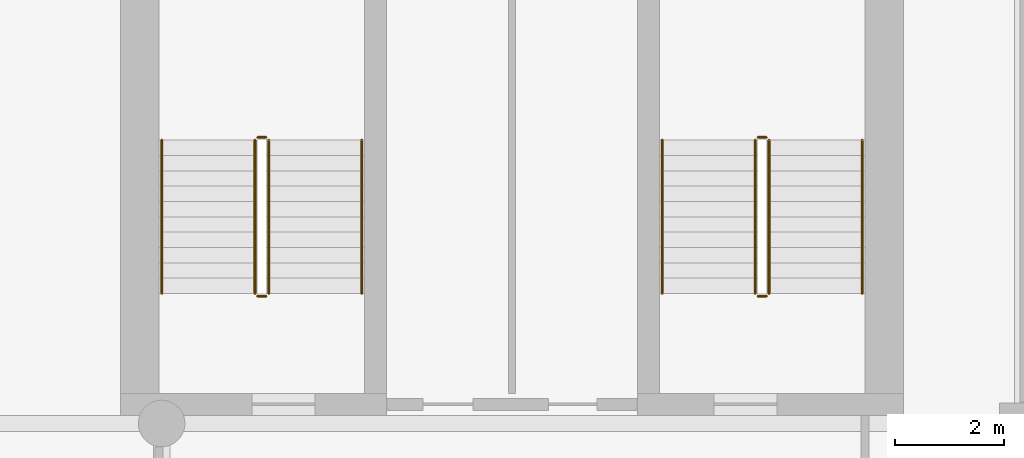
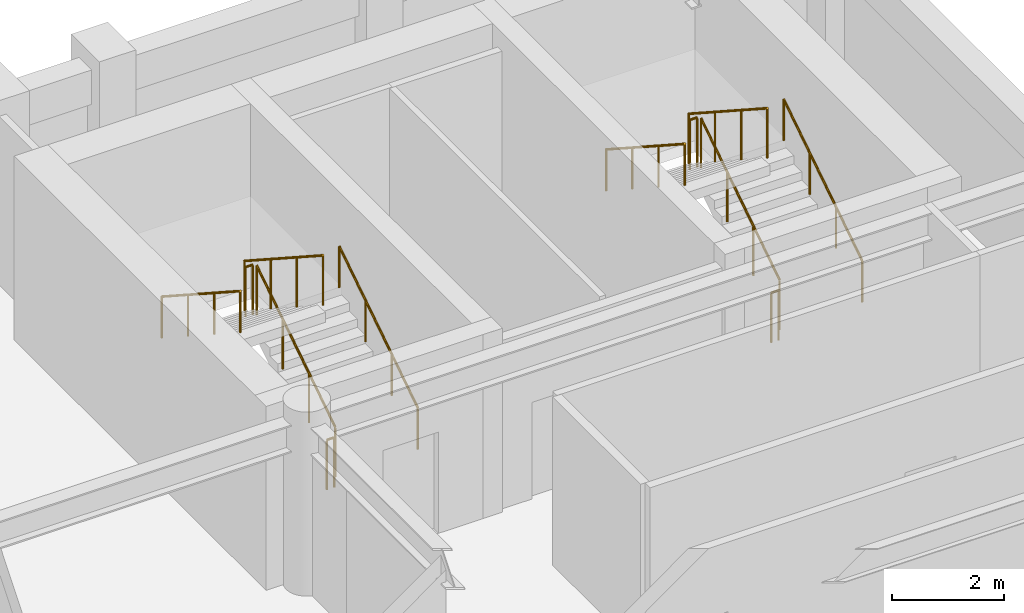
# One storey, part 8 of 8: 12 railings.
"""IFC4 building model written with IfcOpenShell, lengths in metres."""

from ifc_helpers import new_model, si_unit, direction, frame, origin, origin_2d, place, context, subcontext, project, spatial, circle, extrude, material, type_object, element, save


model = new_model("IFC4")

# Units and contexts
model_context = context("Model", 3, precision=1e-05, world=origin(), true_north=direction((0.0, 1.0)))
body_context = subcontext(model_context, "Body", "Model", "MODEL_VIEW")
ifc_project = project(units=[si_unit("LENGTHUNIT", "METRE"), si_unit("AREAUNIT", "SQUARE_METRE"), si_unit("VOLUMEUNIT", "CUBIC_METRE"), si_unit("PLANEANGLEUNIT", "RADIAN"), si_unit("MASSUNIT", "GRAM", prefix="KILO")], contexts=[model_context])

# Site, building, storey
site_placement = place(None, origin())
site = spatial("IfcSite", under=ifc_project, at=site_placement, CompositionType="ELEMENT")
building_placement = place(site_placement, origin())
building = spatial("IfcBuilding", under=site, at=building_placement, Name="Sulina Concourse Tower", CompositionType="ELEMENT")
storey_placement = place(building_placement, frame((0.0, 0.0, 234.60009765625)))
storey = spatial("IfcBuildingStorey", under=building, at=storey_placement, Name="L57", CompositionType="ELEMENT", Elevation=234.60009765625)

# Railings
ifc_material_1 = material(Name="Galvanised steel railing", Category="steel")
railing_type_1 = type_object("IfcRailingType", Name="Core Stair Steel Guardrail 1150mm", PredefinedType="GUARDRAIL", material=ifc_material_1)
railing_1_placement = place(storey_placement, frame((43.554931640625, 36.375, 0.181640625)))
element("IfcRailing", 1, at=railing_1_placement, inside=storey, type_object=railing_type_1, Name="L57 ST-3 stair guard 1", PredefinedType="GUARDRAIL", context=body_context, shape_type="SweptSolid", body=[
    extrude(circle(Radius=0.02392578125, at=origin_2d()), frame((0.0, 0.0, 1.076171875), z_axis=(0.0, 0.838672427954, 0.544636170843), x_axis=(-1.0, 0.0, 0.0)), (0.0, 0.0, 1.0), 3.338623046875),
    extrude(circle(Radius=0.02099609375, at=origin_2d()), origin(), (0.0, 0.0, 1.0), 1.052001953125),
    extrude(circle(Radius=0.02099609375, at=origin_2d()), frame((0.0, 0.933349609375, 0.606201171875)), (0.0, 0.0, 1.0), 1.052001953125),
    extrude(circle(Radius=0.02099609375, at=origin_2d()), frame((0.0, 1.86669921875, 1.212158203125)), (0.0, 0.0, 1.0), 1.052001953125),
    extrude(circle(Radius=0.02099609375, at=origin_2d()), frame((0.0, 2.800048828125, 1.818359375)), (0.0, 0.0, 1.0), 1.052001953125),
])
railing_2_placement = place(storey_placement, frame((43.5048828125, 39.22509765625, 2.0)))
element("IfcRailing", 2, at=railing_2_placement, inside=storey, type_object=railing_type_1, Name="L57 ST-3 stair guard 2", PredefinedType="GUARDRAIL", context=body_context, shape_type="SweptSolid", body=[
    extrude(circle(Radius=0.02392578125, at=origin_2d()), frame((0.0, 0.0, 1.076171875), z_axis=(-1.0, 0.0, 0.0), x_axis=(0.0, -1.0, 0.0)), (0.0, 0.0, 1.0), 0.14990234375),
    extrude(circle(Radius=0.02099609375, at=origin_2d()), origin(), (0.0, 0.0, 1.0), 1.052001953125),
    extrude(circle(Radius=0.02099609375, at=origin_2d()), frame((-0.14990234375, 0.0, 0.0)), (0.0, 0.0, 1.0), 1.052001953125),
])
railing_3_placement = place(storey_placement, frame((43.304931640625, 39.175048828125, 2.181640625)))
element("IfcRailing", 3, at=railing_3_placement, inside=storey, type_object=railing_type_1, Name="L57 ST-3 stair guard 3", PredefinedType="GUARDRAIL", context=body_context, shape_type="SweptSolid", body=[
    extrude(circle(Radius=0.02392578125, at=origin_2d()), frame((0.0, 0.0, 1.076171875), z_axis=(0.0, -0.838672427954, 0.544636170843), x_axis=(1.0, 0.0, 0.0)), (0.0, 0.0, 1.0), 3.338623046875),
    extrude(circle(Radius=0.02099609375, at=origin_2d()), origin(), (0.0, 0.0, 1.0), 1.052001953125),
    extrude(circle(Radius=0.02099609375, at=origin_2d()), frame((0.0, -0.933349609375, 0.606201171875)), (0.0, 0.0, 1.0), 1.052001953125),
    extrude(circle(Radius=0.02099609375, at=origin_2d()), frame((0.0, -1.86669921875, 1.212158203125)), (0.0, 0.0, 1.0), 1.052001953125),
    extrude(circle(Radius=0.02099609375, at=origin_2d()), frame((0.0, -2.800048828125, 1.818359375)), (0.0, 0.0, 1.0), 1.052001953125),
])
railing_4_placement = place(storey_placement, frame((43.5048828125, 36.324951171875, 0.0)))
element("IfcRailing", 4, at=railing_4_placement, inside=storey, type_object=railing_type_1, Name="L57 ST-3 stair guard 4", PredefinedType="GUARDRAIL", context=body_context, shape_type="SweptSolid", body=[
    extrude(circle(Radius=0.02392578125, at=origin_2d()), frame((0.0, 0.0, 1.076171875), z_axis=(-1.0, 0.0, 0.0), x_axis=(0.0, -1.0, 0.0)), (0.0, 0.0, 1.0), 0.14990234375),
    extrude(circle(Radius=0.02099609375, at=origin_2d()), origin(), (0.0, 0.0, 1.0), 1.052001953125),
    extrude(circle(Radius=0.02099609375, at=origin_2d()), frame((-0.14990234375, 0.0, 0.0)), (0.0, 0.0, 1.0), 1.052001953125),
])
railing_5_placement = place(storey_placement, frame((52.695068359375, 36.375, 0.181640625)))
element("IfcRailing", 5, at=railing_5_placement, inside=storey, type_object=railing_type_1, Name="L57 ST-4 stair guard 1", PredefinedType="GUARDRAIL", context=body_context, shape_type="SweptSolid", body=[
    extrude(circle(Radius=0.02392578125, at=origin_2d()), frame((0.0, 0.0, 1.076171875), z_axis=(0.0, 0.838672427954, 0.544636170843), x_axis=(-1.0, 0.0, 0.0)), (0.0, 0.0, 1.0), 3.338623046875),
    extrude(circle(Radius=0.02099609375, at=origin_2d()), origin(), (0.0, 0.0, 1.0), 1.052001953125),
    extrude(circle(Radius=0.02099609375, at=origin_2d()), frame((0.0, 0.933349609375, 0.606201171875)), (0.0, 0.0, 1.0), 1.052001953125),
    extrude(circle(Radius=0.02099609375, at=origin_2d()), frame((0.0, 1.86669921875, 1.212158203125)), (0.0, 0.0, 1.0), 1.052001953125),
    extrude(circle(Radius=0.02099609375, at=origin_2d()), frame((0.0, 2.800048828125, 1.818359375)), (0.0, 0.0, 1.0), 1.052001953125),
])
railing_6_placement = place(storey_placement, frame((52.64501953125, 39.22509765625, 2.0)))
element("IfcRailing", 6, at=railing_6_placement, inside=storey, type_object=railing_type_1, Name="L57 ST-4 stair guard 2", PredefinedType="GUARDRAIL", context=body_context, shape_type="SweptSolid", body=[
    extrude(circle(Radius=0.02392578125, at=origin_2d()), frame((0.0, 0.0, 1.076171875), z_axis=(-1.0, 0.0, 0.0), x_axis=(0.0, -1.0, 0.0)), (0.0, 0.0, 1.0), 0.14990234375),
    extrude(circle(Radius=0.02099609375, at=origin_2d()), origin(), (0.0, 0.0, 1.0), 1.052001953125),
    extrude(circle(Radius=0.02099609375, at=origin_2d()), frame((-0.14990234375, 0.0, 0.0)), (0.0, 0.0, 1.0), 1.052001953125),
])
railing_7_placement = place(storey_placement, frame((52.445068359375, 39.175048828125, 2.181640625)))
element("IfcRailing", 7, at=railing_7_placement, inside=storey, type_object=railing_type_1, Name="L57 ST-4 stair guard 3", PredefinedType="GUARDRAIL", context=body_context, shape_type="SweptSolid", body=[
    extrude(circle(Radius=0.02392578125, at=origin_2d()), frame((0.0, 0.0, 1.076171875), z_axis=(0.0, -0.838672427954, 0.544636170843), x_axis=(1.0, 0.0, 0.0)), (0.0, 0.0, 1.0), 3.338623046875),
    extrude(circle(Radius=0.02099609375, at=origin_2d()), origin(), (0.0, 0.0, 1.0), 1.052001953125),
    extrude(circle(Radius=0.02099609375, at=origin_2d()), frame((0.0, -0.933349609375, 0.606201171875)), (0.0, 0.0, 1.0), 1.052001953125),
    extrude(circle(Radius=0.02099609375, at=origin_2d()), frame((0.0, -1.86669921875, 1.212158203125)), (0.0, 0.0, 1.0), 1.052001953125),
    extrude(circle(Radius=0.02099609375, at=origin_2d()), frame((0.0, -2.800048828125, 1.818359375)), (0.0, 0.0, 1.0), 1.052001953125),
])
railing_8_placement = place(storey_placement, frame((52.64501953125, 36.324951171875, 0.0)))
element("IfcRailing", 8, at=railing_8_placement, inside=storey, type_object=railing_type_1, Name="L57 ST-4 stair guard 4", PredefinedType="GUARDRAIL", context=body_context, shape_type="SweptSolid", body=[
    extrude(circle(Radius=0.02392578125, at=origin_2d()), frame((0.0, 0.0, 1.076171875), z_axis=(-1.0, 0.0, 0.0), x_axis=(0.0, -1.0, 0.0)), (0.0, 0.0, 1.0), 0.14990234375),
    extrude(circle(Radius=0.02099609375, at=origin_2d()), origin(), (0.0, 0.0, 1.0), 1.052001953125),
    extrude(circle(Radius=0.02099609375, at=origin_2d()), frame((-0.14990234375, 0.0, 0.0)), (0.0, 0.0, 1.0), 1.052001953125),
])
ifc_material_2 = material(Name="Galvanised steel railing", Category="steel")
railing_type_2 = type_object("IfcRailingType", Name="Stair Wall Steel Handrail 920mm", PredefinedType="HANDRAIL", material=ifc_material_2)
railing_9_placement = place(storey_placement, frame((45.2548828125, 36.375, 0.181640625)))
element("IfcRailing", 9, at=railing_9_placement, inside=storey, type_object=railing_type_2, Name="L57 ST-3 stair handrail 1", PredefinedType="HANDRAIL", context=body_context, shape_type="SweptSolid", body=[
    extrude(circle(Radius=0.02392578125, at=origin_2d()), frame((0.0, 0.0, 0.89599609375), z_axis=(0.0, 0.838672427954, 0.544636170843), x_axis=(-1.0, 0.0, 0.0)), (0.0, 0.0, 1.0), 3.338623046875),
    extrude(circle(Radius=0.02099609375, at=origin_2d()), origin(), (0.0, 0.0, 1.0), 0.871826171875),
    extrude(circle(Radius=0.02099609375, at=origin_2d()), frame((0.0, 0.933349609375, 0.606201171875)), (0.0, 0.0, 1.0), 0.871826171875),
    extrude(circle(Radius=0.02099609375, at=origin_2d()), frame((0.0, 1.86669921875, 1.212158203125)), (0.0, 0.0, 1.0), 0.871826171875),
    extrude(circle(Radius=0.02099609375, at=origin_2d()), frame((0.0, 2.800048828125, 1.818359375)), (0.0, 0.0, 1.0), 0.871826171875),
])
railing_10_placement = place(storey_placement, frame((41.60498046875, 39.175048828125, 2.181640625)))
element("IfcRailing", 10, at=railing_10_placement, inside=storey, type_object=railing_type_2, Name="L57 ST-3 stair handrail 2", PredefinedType="HANDRAIL", context=body_context, shape_type="SweptSolid", body=[
    extrude(circle(Radius=0.02392578125, at=origin_2d()), frame((0.0, 0.0, 0.89599609375), z_axis=(0.0, -0.838672427954, 0.544636170843), x_axis=(1.0, 0.0, 0.0)), (0.0, 0.0, 1.0), 3.338623046875),
    extrude(circle(Radius=0.02099609375, at=origin_2d()), origin(), (0.0, 0.0, 1.0), 0.871826171875),
    extrude(circle(Radius=0.02099609375, at=origin_2d()), frame((0.0, -0.933349609375, 0.606201171875)), (0.0, 0.0, 1.0), 0.871826171875),
    extrude(circle(Radius=0.02099609375, at=origin_2d()), frame((0.0, -1.86669921875, 1.212158203125)), (0.0, 0.0, 1.0), 0.871826171875),
    extrude(circle(Radius=0.02099609375, at=origin_2d()), frame((0.0, -2.800048828125, 1.818359375)), (0.0, 0.0, 1.0), 0.871826171875),
])
railing_11_placement = place(storey_placement, frame((54.39501953125, 36.375, 0.181640625)))
element("IfcRailing", 11, at=railing_11_placement, inside=storey, type_object=railing_type_2, Name="L57 ST-4 stair handrail 1", PredefinedType="HANDRAIL", context=body_context, shape_type="SweptSolid", body=[
    extrude(circle(Radius=0.02392578125, at=origin_2d()), frame((0.0, 0.0, 0.89599609375), z_axis=(0.0, 0.838672427954, 0.544636170843), x_axis=(-1.0, 0.0, 0.0)), (0.0, 0.0, 1.0), 3.338623046875),
    extrude(circle(Radius=0.02099609375, at=origin_2d()), origin(), (0.0, 0.0, 1.0), 0.871826171875),
    extrude(circle(Radius=0.02099609375, at=origin_2d()), frame((0.0, 0.933349609375, 0.606201171875)), (0.0, 0.0, 1.0), 0.871826171875),
    extrude(circle(Radius=0.02099609375, at=origin_2d()), frame((0.0, 1.86669921875, 1.212158203125)), (0.0, 0.0, 1.0), 0.871826171875),
    extrude(circle(Radius=0.02099609375, at=origin_2d()), frame((0.0, 2.800048828125, 1.818359375)), (0.0, 0.0, 1.0), 0.871826171875),
])
railing_12_placement = place(storey_placement, frame((50.7451171875, 39.175048828125, 2.181640625)))
element("IfcRailing", 12, at=railing_12_placement, inside=storey, type_object=railing_type_2, Name="L57 ST-4 stair handrail 2", PredefinedType="HANDRAIL", context=body_context, shape_type="SweptSolid", body=[
    extrude(circle(Radius=0.02392578125, at=origin_2d()), frame((0.0, 0.0, 0.89599609375), z_axis=(0.0, -0.838672427954, 0.544636170843), x_axis=(1.0, 0.0, 0.0)), (0.0, 0.0, 1.0), 3.338623046875),
    extrude(circle(Radius=0.02099609375, at=origin_2d()), origin(), (0.0, 0.0, 1.0), 0.871826171875),
    extrude(circle(Radius=0.02099609375, at=origin_2d()), frame((0.0, -0.933349609375, 0.606201171875)), (0.0, 0.0, 1.0), 0.871826171875),
    extrude(circle(Radius=0.02099609375, at=origin_2d()), frame((0.0, -1.86669921875, 1.212158203125)), (0.0, 0.0, 1.0), 0.871826171875),
    extrude(circle(Radius=0.02099609375, at=origin_2d()), frame((0.0, -2.800048828125, 1.818359375)), (0.0, 0.0, 1.0), 0.871826171875),
])

save(model, "model.ifc")
